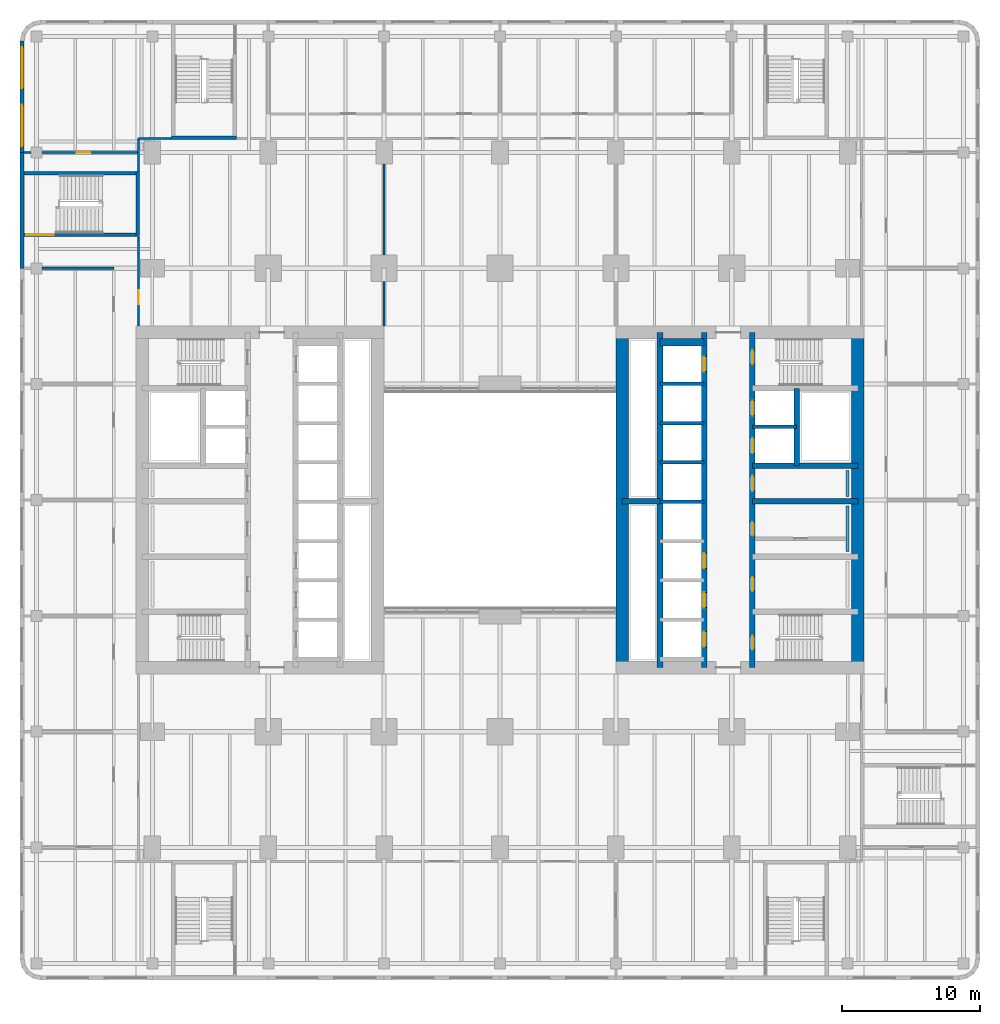
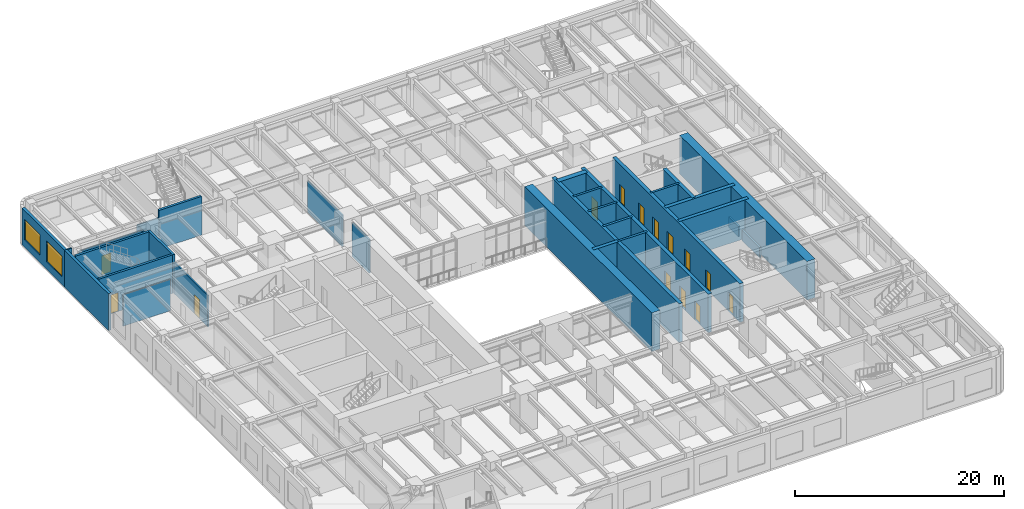
# One storey, part 12 of 26: 31 walls, 14 doors, 2 windows, 16 openings.
"""IFC4 building model written with IfcOpenShell, lengths in metres."""

from ifc_helpers import new_model, si_unit, direction, frame, frame_2d, origin, place, context, subcontext, project, spatial, rectangle, extrude, material, layer, layer_set, type_object, element, fill, save


model = new_model("IFC4")

# Units and contexts
model_context = context("Model", 3, precision=1e-05, world=origin(), true_north=direction((0.0, 1.0)))
body_context = subcontext(model_context, "Body", "Model", "MODEL_VIEW")
ifc_project = project(units=[si_unit("LENGTHUNIT", "METRE"), si_unit("AREAUNIT", "SQUARE_METRE"), si_unit("VOLUMEUNIT", "CUBIC_METRE"), si_unit("PLANEANGLEUNIT", "RADIAN"), si_unit("MASSUNIT", "GRAM", prefix="KILO")], contexts=[model_context])

# Site, building, storey
site_placement = place(None, origin())
site = spatial("IfcSite", under=ifc_project, at=site_placement, CompositionType="ELEMENT")
building_placement = place(site_placement, origin())
building = spatial("IfcBuilding", under=site, at=building_placement, Name="Claustro Exchange Tower", CompositionType="ELEMENT")
storey_placement = place(building_placement, frame((0.0, 0.0, 9.89990234375)))
storey = spatial("IfcBuildingStorey", under=building, at=storey_placement, Name="L02", CompositionType="ELEMENT", Elevation=9.89990234375)

# Walls
ifc_material_1 = material(Name="Gypsum board on steel studs", Category="steel")
ifc_layer_1 = layer(ifc_material_1, 0.14990234375)
ifc_layer_set_1 = layer_set([ifc_layer_1], Name="Gypsum board on steel studs")
wall_type_1 = type_object("IfcWallType", Name="P1 150 plasterboard partition", PredefinedType="PARTITIONING", material=ifc_layer_set_1)
wall_1_placement = place(storey_placement, frame((-1.0, 51.39990234375, 0.0), z_axis=(0.0, 0.0, 1.0), x_axis=(1.0, 0.0, 0.0)))
element("IfcWall", 1, at=wall_1_placement, inside=storey, type_object=wall_type_1, Name="Partition P1 L02", PredefinedType="PARTITIONING", context=body_context, shape_type="SweptSolid", body=[
    extrude(rectangle(XDim=2.3798828125, YDim=0.14990234375, at=frame_2d((1.18994140625, 0.0))), origin(), (0.0, 0.0, 1.0), 3.650146484375),
])
wall_2_placement = place(storey_placement, frame((-9.300048828125, 50.39990234375, 0.0), z_axis=(0.0, 0.0, 1.0), x_axis=(1.0, 0.0, 0.0)))
element("IfcWall", 2, at=wall_2_placement, inside=storey, type_object=wall_type_1, Name="Partition P1 L02", PredefinedType="PARTITIONING", context=body_context, shape_type="SweptSolid", body=[
    extrude(rectangle(XDim=0.5009765625, YDim=0.14990234375, at=frame_2d((0.25048828125, 0.0))), origin(), (0.0, 0.0, 1.0), 4.300048828125),
])

# Wall, opening, door
wall_3_placement = place(storey_placement, frame((-8.0009765625, 50.39990234375, 0.0), z_axis=(0.0, 0.0, 1.0), x_axis=(1.0, 0.0, 0.0)))
wall_3 = element("IfcWall", 3, at=wall_3_placement, inside=storey, type_object=wall_type_1, Name="Partition P1 L02", PredefinedType="PARTITIONING", context=body_context, shape_type="SweptSolid", body=[
    extrude(rectangle(XDim=6.927001953125, YDim=0.14990234375, at=frame_2d((3.46337890625, 0.0))), origin(), (0.0, 0.0, 1.0), 3.650146484375),
])
opening_1_placement = place(wall_3_placement, frame((2.5009765625, 0.0, 0.0)))
opening_1 = element("IfcOpeningElement", 4, at=opening_1_placement, cuts=wall_3, Name="Opening D1", PredefinedType="OPENING", context=body_context, shape_type="SweptSolid", body=[
    extrude(rectangle(XDim=1.0, YDim=2.199951171875, at=frame_2d((0.5, 1.10009765625))), frame((0.0, 0.0849609375, 0.0), z_axis=(0.0, -1.0, 0.0), x_axis=(1.0, 0.0, 0.0)), (0.0, 0.0, 1.0), 0.169921875),
])
ifc_material_2 = material(Name="Timber door, oak veneer", Category="wood")
door_type_1 = type_object("IfcDoorType", Name="D1 1000 x 2200 single door", OperationType="SINGLE_SWING_LEFT", PredefinedType="DOOR", material=ifc_material_2)
door_1_placement = place(opening_1_placement, frame((1.0, 0.0, 0.0), z_axis=(0.0, 0.0, 1.0), x_axis=(-1.0, 0.0, 0.0)))
door_1 = element("IfcDoor", 5, at=door_1_placement, inside=storey, type_object=door_type_1, Name="Door D1 L02", OperationType="SINGLE_SWING_LEFT", OverallHeight=2.199951171875, OverallWidth=1.0, PredefinedType="DOOR", context=body_context, shape_type="SweptSolid", body=[
    extrude(rectangle(XDim=1.0, YDim=2.199951171875, at=frame_2d((0.5, 1.10009765625))), frame((0.0, 0.02490234375, 0.0), z_axis=(0.0, -1.0, 0.0), x_axis=(1.0, 0.0, 0.0)), (0.0, 0.0, 1.0), 0.050048828125),
])
fill(opening_1, door_1)

wall_4_placement = place(storey_placement, frame((-1.0, 37.800048828125, 0.0), z_axis=(0.0, 0.0, 1.0), x_axis=(0.0, 1.0, 0.0)))
wall_4 = element("IfcWall", 6, at=wall_4_placement, inside=storey, type_object=wall_type_1, Name="Partition P1 L02", PredefinedType="PARTITIONING", context=body_context, shape_type="SweptSolid", body=[
    extrude(rectangle(XDim=6.47998046875, YDim=0.14990234375, at=frame_2d((3.239990234375, 0.0))), origin(), (0.0, 0.0, 1.0), 3.650146484375),
])
opening_2_placement = place(wall_4_placement, frame((1.60009765625, 0.0, 0.0)))
opening_2 = element("IfcOpeningElement", 7, at=opening_2_placement, cuts=wall_4, Name="Opening D1", PredefinedType="OPENING", context=body_context, shape_type="SweptSolid", body=[
    extrude(rectangle(XDim=1.0, YDim=2.199951171875, at=frame_2d((0.5, 1.10009765625))), frame((0.0, 0.0849609375, 0.0), z_axis=(0.0, -1.0, 0.0), x_axis=(1.0, 0.0, 0.0)), (0.0, 0.0, 1.0), 0.169921875),
])
door_2_placement = place(opening_2_placement, frame((1.0, 0.0, 0.0), z_axis=(0.0, 0.0, 1.0), x_axis=(-1.0, 0.0, 0.0)))
door_2 = element("IfcDoor", 8, at=door_2_placement, inside=storey, type_object=door_type_1, Name="Door D1 L02", OperationType="SINGLE_SWING_RIGHT", OverallHeight=2.199951171875, OverallWidth=1.0, PredefinedType="DOOR", context=body_context, shape_type="SweptSolid", body=[
    extrude(rectangle(XDim=1.0, YDim=2.199951171875, at=frame_2d((0.5, 1.10009765625))), frame((0.0, 0.02490234375, 0.0), z_axis=(0.0, -1.0, 0.0), x_axis=(1.0, 0.0, 0.0)), (0.0, 0.0, 1.0), 0.050048828125),
])
fill(opening_2, door_2)

# Walls
wall_5_placement = place(storey_placement, frame((-1.0, 49.02001953125, 0.0), z_axis=(0.0, 0.0, 1.0), x_axis=(0.0, 1.0, 0.0)))
element("IfcWall", 9, at=wall_5_placement, inside=storey, type_object=wall_type_1, Name="Partition P1 L02", PredefinedType="PARTITIONING", context=body_context, shape_type="SweptSolid", body=[
    extrude(rectangle(XDim=2.3798828125, YDim=0.14990234375, at=frame_2d((1.18994140625, 0.0))), origin(), (0.0, 0.0, 1.0), 3.650146484375),
])
wall_6_placement = place(storey_placement, frame((16.800048828125, 37.820068359375, 0.0), z_axis=(0.0, 0.0, 1.0), x_axis=(0.0, 1.0, 0.0)))
element("IfcWall", 10, at=wall_6_placement, inside=storey, type_object=wall_type_1, Name="Partition P1 L02", PredefinedType="PARTITIONING", context=body_context, shape_type="SweptSolid", body=[
    extrude(rectangle(XDim=3.23095703125, YDim=0.14990234375, at=frame_2d((1.615478515625, 0.0))), origin(), (0.0, 0.0, 1.0), 3.940185546875),
])
wall_7_placement = place(storey_placement, frame((16.800048828125, 42.948974609375, 0.0), z_axis=(0.0, 0.0, 1.0), x_axis=(0.0, 1.0, 0.0)))
element("IfcWall", 11, at=wall_7_placement, inside=storey, type_object=wall_type_1, Name="Partition P1 L02", PredefinedType="PARTITIONING", context=body_context, shape_type="SweptSolid", body=[
    extrude(rectangle(XDim=6.626953125, YDim=0.14990234375, at=frame_2d((3.3134765625, 0.0))), origin(), (0.0, 0.0, 1.0), 3.650146484375),
])
wall_8_placement = place(storey_placement, frame((-8.0009765625, 42.0, 0.0), z_axis=(0.0, 0.0, 1.0), x_axis=(1.0, 0.0, 0.0)))
element("IfcWall", 12, at=wall_8_placement, inside=storey, type_object=wall_type_1, Name="Partition P1 L02", PredefinedType="PARTITIONING", context=body_context, shape_type="SweptSolid", body=[
    extrude(rectangle(XDim=5.200927734375, YDim=0.14990234375, at=frame_2d((2.6005859375, 0.0))), origin(), (0.0, 0.0, 1.0), 3.650146484375),
])
ifc_material_3 = material(Name="Concrete HA-40 (C40/50), precast, white cement, acid-etched", Category="concrete")
ifc_layer_2 = layer(ifc_material_3, 0.300048828125)
ifc_layer_set_2 = layer_set([ifc_layer_2], Name="Concrete HA-40 (C40/50), precast, white cement, acid-etched")
wall_type_2 = type_object("IfcWallType", Name="PC1 300 precast concrete pier panel", PredefinedType="SOLIDWALL", material=ifc_layer_set_2)
wall_9_placement = place(storey_placement, frame((-9.449951171875, 42.0, 0.0), z_axis=(0.0, 0.0, 1.0), x_axis=(0.0, 1.0, 0.0)))
element("IfcWall", 13, at=wall_9_placement, inside=storey, type_object=wall_type_2, Name="Precast pier panel PC1 L02", PredefinedType="SOLIDWALL", context=body_context, shape_type="SweptSolid", body=[
    extrude(rectangle(XDim=8.39990234375, YDim=0.300048828125, at=frame_2d((4.199951171875, 0.0))), origin(), (0.0, 0.0, 1.0), 4.300048828125),
])

# Wall, openings, windows
wall_10_placement = place(storey_placement, frame((-9.449951171875, 50.39990234375, 0.0), z_axis=(0.0, 0.0, 1.0), x_axis=(0.0, 1.0, 0.0)))
wall_10 = element("IfcWall", 14, at=wall_10_placement, inside=storey, type_object=wall_type_2, Name="Precast pier panel PC1 L02", PredefinedType="SOLIDWALL", context=body_context, shape_type="SweptSolid", body=[
    extrude(rectangle(XDim=8.085205078125, YDim=0.300048828125, at=frame_2d((4.04248046875, 0.0))), origin(), (0.0, 0.0, 1.0), 4.300048828125),
])
opening_3_placement = place(wall_10_placement, frame((0.442626953125, 0.0, 0.89990234375)))
opening_3 = element("IfcOpeningElement", 15, at=opening_3_placement, cuts=wall_10, Name="Opening W3", PredefinedType="OPENING", context=body_context, shape_type="SweptSolid", body=[
    extrude(rectangle(XDim=3.0, YDim=2.39990234375, at=frame_2d((1.5, 1.199951171875))), frame((0.0, 0.159912109375, 0.0), z_axis=(0.0, -1.0, 0.0), x_axis=(1.0, 0.0, 0.0)), (0.0, 0.0, 1.0), 0.320068359375),
])
opening_4_placement = place(wall_10_placement, frame((4.642578125, 0.0, 0.89990234375)))
opening_4 = element("IfcOpeningElement", 16, at=opening_4_placement, cuts=wall_10, Name="Opening W3", PredefinedType="OPENING", context=body_context, shape_type="SweptSolid", body=[
    extrude(rectangle(XDim=3.0, YDim=2.39990234375, at=frame_2d((1.5, 1.199951171875))), frame((0.0, 0.159912109375, 0.0), z_axis=(0.0, -1.0, 0.0), x_axis=(1.0, 0.0, 0.0)), (0.0, 0.0, 1.0), 0.320068359375),
])
ifc_material_4 = material(Name="Aluminium frame, clear double glazing", Category="aluminium")
window_type = type_object("IfcWindowType", Name="W3 3000 x 2400 window", PartitioningType="SINGLE_PANEL", PredefinedType="WINDOW", material=ifc_material_4)
window_1_placement = place(opening_3_placement, origin())
window_1 = element("IfcWindow", 17, at=window_1_placement, inside=storey, type_object=window_type, Name="Window W3 L02", OverallHeight=2.39990234375, OverallWidth=3.0, PartitioningType="SINGLE_PANEL", PredefinedType="WINDOW", context=body_context, shape_type="SweptSolid", body=[
    extrude(rectangle(XDim=3.0, YDim=2.39990234375, at=frame_2d((1.5, 1.199951171875))), frame((0.0, 0.030029296875, 0.0), z_axis=(0.0, -1.0, 0.0), x_axis=(1.0, 0.0, 0.0)), (0.0, 0.0, 1.0), 0.06005859375),
])
fill(opening_3, window_1)
window_2_placement = place(opening_4_placement, origin())
window_2 = element("IfcWindow", 18, at=window_2_placement, inside=storey, type_object=window_type, Name="Window W3 L02", OverallHeight=2.39990234375, OverallWidth=3.0, PartitioningType="SINGLE_PANEL", PredefinedType="WINDOW", context=body_context, shape_type="SweptSolid", body=[
    extrude(rectangle(XDim=3.0, YDim=2.39990234375, at=frame_2d((1.5, 1.199951171875))), frame((0.0, 0.030029296875, 0.0), z_axis=(0.0, -1.0, 0.0), x_axis=(1.0, 0.0, 0.0)), (0.0, 0.0, 1.0), 0.06005859375),
])
fill(opening_4, window_2)

# Walls
ifc_material_5 = material(Name="Gypsum board on steel studs, tiled", Category="steel")
ifc_layer_3 = layer(ifc_material_5, 0.199951171875)
ifc_layer_set_3 = layer_set([ifc_layer_3], Name="Gypsum board on steel studs, tiled")
wall_type_3 = type_object("IfcWallType", Name="PW1 200 WC duct wall", PredefinedType="PLUMBINGWALL", material=ifc_layer_set_3)
wall_11_placement = place(storey_placement, frame((50.39990234375, 21.449951171875, 0.0), z_axis=(0.0, 0.0, 1.0), x_axis=(0.0, 1.0, 0.0)))
element("IfcWall", 19, at=wall_11_placement, inside=storey, type_object=wall_type_3, Name="WC duct wall PW1 L02", PredefinedType="PLUMBINGWALL", context=body_context, shape_type="SweptSolid", body=[
    extrude(rectangle(XDim=3.300048828125, YDim=0.199951171875, at=frame_2d((1.64990234375, 0.0))), origin(), (0.0, 0.0, 1.0), 1.2001953125),
])
wall_12_placement = place(storey_placement, frame((50.39990234375, 25.449951171875, 0.0), z_axis=(0.0, 0.0, 1.0), x_axis=(0.0, 1.0, 0.0)))
element("IfcWall", 20, at=wall_12_placement, inside=storey, type_object=wall_type_3, Name="WC duct wall PW1 L02", PredefinedType="PLUMBINGWALL", context=body_context, shape_type="SweptSolid", body=[
    extrude(rectangle(XDim=1.900146484375, YDim=0.199951171875, at=frame_2d((0.9501953125, 0.0))), origin(), (0.0, 0.0, 1.0), 1.2001953125),
])
ifc_material_6 = material(Name="Concrete HA-70 (C70/85)", Category="concrete")
ifc_layer_4 = layer(ifc_material_6, 0.89990234375)
ifc_layer_set_4 = layer_set([ifc_layer_4], Name="Concrete HA-70 (C70/85)")
wall_type_4 = type_object("IfcWallType", Name="SW1X 900 exposed core shear wall, board-marked face", PredefinedType="SHEAR", material=ifc_layer_set_4)
for number, where, z_axis, x_axis, name in (
    (21, (34.050048828125, 13.050048828125, 0.0), (0.0, 0.0, 1.0), (0.0, 1.0, 0.0), "Core wall SW1X E core W face L02"),
    (22, (51.14990234375, 13.050048828125, 0.0), (0.0, 0.0, 1.0), (0.0, 1.0, 0.0), "Core wall SW1X E core E face L02"),
):
    element("IfcWall", number, at=place(storey_placement, frame(where, z_axis=z_axis, x_axis=x_axis)), inside=storey, type_object=wall_type_4, Name=name, PredefinedType="SHEAR", context=body_context, shape_type="SweptSolid", body=[
        extrude(rectangle(XDim=24.300048828125, YDim=0.89990234375, at=frame_2d((12.14990234375, 0.0))), origin(), (0.0, 0.0, 1.0), 4.5),
    ])

# Wall, openings, doors
ifc_material_7 = material(Name="Concrete HA-50 (C50/60)", Category="concrete")
ifc_layer_5 = layer(ifc_material_7, 0.39990234375)
ifc_layer_set_5 = layer_set([ifc_layer_5], Name="Concrete HA-50 (C50/60)")
wall_type_5 = type_object("IfcWallType", Name="SW4 400 internal core wall", PredefinedType="SHEAR", material=ifc_layer_set_5)
wall_13_placement = place(storey_placement, frame((43.5, 13.050048828125, 0.0), z_axis=(0.0, 0.0, 1.0), x_axis=(0.0, 1.0, 0.0)))
wall_13 = element("IfcWall", 23, at=wall_13_placement, inside=storey, type_object=wall_type_5, Name="Internal core wall SW4 E core L02", PredefinedType="SHEAR", context=body_context, shape_type="SweptSolid", body=[
    extrude(rectangle(XDim=24.300048828125, YDim=0.39990234375, at=frame_2d((12.14990234375, 0.0))), origin(), (0.0, 0.0, 1.0), 4.5),
])
opening_5_placement = place(wall_13_placement, frame((1.300048828125, 0.0, 0.0)))
opening_5 = element("IfcOpeningElement", 24, at=opening_5_placement, cuts=wall_13, Name="Opening D4", PredefinedType="OPENING", context=body_context, shape_type="SweptSolid", body=[
    extrude(rectangle(XDim=1.0, YDim=2.199951171875, at=frame_2d((0.5, 1.10009765625))), frame((0.0, 0.2099609375, 0.0), z_axis=(0.0, -1.0, 0.0), x_axis=(1.0, 0.0, 0.0)), (0.0, 0.0, 1.0), 0.419921875),
])
opening_6_placement = place(wall_13_placement, frame((22.0, 0.0, 0.0)))
opening_6 = element("IfcOpeningElement", 25, at=opening_6_placement, cuts=wall_13, Name="Opening D4", PredefinedType="OPENING", context=body_context, shape_type="SweptSolid", body=[
    extrude(rectangle(XDim=1.0, YDim=2.199951171875, at=frame_2d((0.5, 1.10009765625))), frame((0.0, 0.2099609375, 0.0), z_axis=(0.0, -1.0, 0.0), x_axis=(1.0, 0.0, 0.0)), (0.0, 0.0, 1.0), 0.419921875),
])
opening_7_placement = place(wall_13_placement, frame((5.550048828125, 0.0, 0.0)))
opening_7 = element("IfcOpeningElement", 26, at=opening_7_placement, cuts=wall_13, Name="Opening D1", PredefinedType="OPENING", context=body_context, shape_type="SweptSolid", body=[
    extrude(rectangle(XDim=1.0, YDim=2.199951171875, at=frame_2d((0.5, 1.10009765625))), frame((0.0, 0.2099609375, 0.0), z_axis=(0.0, -1.0, 0.0), x_axis=(1.0, 0.0, 0.0)), (0.0, 0.0, 1.0), 0.419921875),
])
opening_8_placement = place(wall_13_placement, frame((9.550048828125, 0.0, 0.0)))
opening_8 = element("IfcOpeningElement", 27, at=opening_8_placement, cuts=wall_13, Name="Opening D1", PredefinedType="OPENING", context=body_context, shape_type="SweptSolid", body=[
    extrude(rectangle(XDim=1.0, YDim=2.199951171875, at=frame_2d((0.5, 1.10009765625))), frame((0.0, 0.2099609375, 0.0), z_axis=(0.0, -1.0, 0.0), x_axis=(1.0, 0.0, 0.0)), (0.0, 0.0, 1.0), 0.419921875),
])
opening_9_placement = place(wall_13_placement, frame((12.800048828125, 0.0, 0.0)))
opening_9 = element("IfcOpeningElement", 28, at=opening_9_placement, cuts=wall_13, Name="Opening D10", PredefinedType="OPENING", context=body_context, shape_type="SweptSolid", body=[
    extrude(rectangle(XDim=1.10009765625, YDim=2.199951171875, at=frame_2d((0.550048828125, 1.10009765625))), frame((0.0, 0.2099609375, 0.0), z_axis=(0.0, -1.0, 0.0), x_axis=(1.0, 0.0, 0.0)), (0.0, 0.0, 1.0), 0.419921875),
])
opening_10_placement = place(wall_13_placement, frame((15.53759765625, 0.0, 0.0)))
opening_10 = element("IfcOpeningElement", 29, at=opening_10_placement, cuts=wall_13, Name="Opening LD", PredefinedType="OPENING", context=body_context, shape_type="SweptSolid", body=[
    extrude(rectangle(XDim=1.10009765625, YDim=2.199951171875, at=frame_2d((0.550048828125, 1.10009765625))), frame((0.0, 0.2099609375, 0.0), z_axis=(0.0, -1.0, 0.0), x_axis=(1.0, 0.0, 0.0)), (0.0, 0.0, 1.0), 0.419921875),
])
opening_11_placement = place(wall_13_placement, frame((18.262451171875, 0.0, 0.0)))
opening_11 = element("IfcOpeningElement", 30, at=opening_11_placement, cuts=wall_13, Name="Opening LD", PredefinedType="OPENING", context=body_context, shape_type="SweptSolid", body=[
    extrude(rectangle(XDim=1.10009765625, YDim=2.199951171875, at=frame_2d((0.550048828125, 1.10009765625))), frame((0.0, 0.2099609375, 0.0), z_axis=(0.0, -1.0, 0.0), x_axis=(1.0, 0.0, 0.0)), (0.0, 0.0, 1.0), 0.419921875),
])
door_3_placement = place(opening_7_placement, frame((1.0, 0.0, 0.0), z_axis=(0.0, 0.0, 1.0), x_axis=(-1.0, 0.0, 0.0)))
door_3 = element("IfcDoor", 31, at=door_3_placement, inside=storey, type_object=door_type_1, Name="Door D1 L02", OperationType="SINGLE_SWING_LEFT", OverallHeight=2.199951171875, OverallWidth=1.0, PredefinedType="DOOR", context=body_context, shape_type="SweptSolid", body=[
    extrude(rectangle(XDim=1.0, YDim=2.199951171875, at=frame_2d((0.5, 1.10009765625))), frame((0.0, 0.02490234375, 0.0), z_axis=(0.0, -1.0, 0.0), x_axis=(1.0, 0.0, 0.0)), (0.0, 0.0, 1.0), 0.050048828125),
])
fill(opening_7, door_3)
door_4_placement = place(opening_8_placement, frame((1.0, 0.0, 0.0), z_axis=(0.0, 0.0, 1.0), x_axis=(-1.0, 0.0, 0.0)))
door_4 = element("IfcDoor", 32, at=door_4_placement, inside=storey, type_object=door_type_1, Name="Door D1 L02", OperationType="SINGLE_SWING_RIGHT", OverallHeight=2.199951171875, OverallWidth=1.0, PredefinedType="DOOR", context=body_context, shape_type="SweptSolid", body=[
    extrude(rectangle(XDim=1.0, YDim=2.199951171875, at=frame_2d((0.5, 1.10009765625))), frame((0.0, 0.02490234375, 0.0), z_axis=(0.0, -1.0, 0.0), x_axis=(1.0, 0.0, 0.0)), (0.0, 0.0, 1.0), 0.050048828125),
])
fill(opening_8, door_4)
ifc_material_8 = material(Name="Timber door, oak veneer", Category="wood")
door_type_2 = type_object("IfcDoorType", Name="D10 1100 x 2200 accessible WC door", OperationType="SINGLE_SWING_LEFT", PredefinedType="DOOR", material=ifc_material_8)
door_5_placement = place(opening_9_placement, origin())
door_5 = element("IfcDoor", 33, at=door_5_placement, inside=storey, type_object=door_type_2, Name="Accessible WC door D10 L02", OperationType="SINGLE_SWING_RIGHT", OverallHeight=2.199951171875, OverallWidth=1.10009765625, PredefinedType="DOOR", context=body_context, shape_type="SweptSolid", body=[
    extrude(rectangle(XDim=1.10009765625, YDim=2.199951171875, at=frame_2d((0.550048828125, 1.10009765625))), frame((0.0, 0.02490234375, 0.0), z_axis=(0.0, -1.0, 0.0), x_axis=(1.0, 0.0, 0.0)), (0.0, 0.0, 1.0), 0.050048828125),
])
fill(opening_9, door_5)
ifc_material_9 = material(Name="Steel fire door, painted", Category="steel")
door_type_3 = type_object("IfcDoorType", Name="D4 1000 x 2200 fire-rated stair door", OperationType="SINGLE_SWING_LEFT", PredefinedType="DOOR", material=ifc_material_9)
door_6_placement = place(opening_5_placement, frame((1.0, 0.0, 0.0), z_axis=(0.0, 0.0, 1.0), x_axis=(-1.0, 0.0, 0.0)))
door_6 = element("IfcDoor", 34, at=door_6_placement, inside=storey, type_object=door_type_3, Name="Stair door D4 L02", OperationType="SINGLE_SWING_RIGHT", OverallHeight=2.199951171875, OverallWidth=1.0, PredefinedType="DOOR", context=body_context, shape_type="SweptSolid", body=[
    extrude(rectangle(XDim=1.0, YDim=2.199951171875, at=frame_2d((0.5, 1.10009765625))), frame((0.0, 0.02490234375, 0.0), z_axis=(0.0, -1.0, 0.0), x_axis=(1.0, 0.0, 0.0)), (0.0, 0.0, 1.0), 0.050048828125),
])
fill(opening_5, door_6)
door_7_placement = place(opening_6_placement, frame((1.0, 0.0, 0.0), z_axis=(0.0, 0.0, 1.0), x_axis=(-1.0, 0.0, 0.0)))
door_7 = element("IfcDoor", 35, at=door_7_placement, inside=storey, type_object=door_type_3, Name="Stair door D4 L02", OperationType="SINGLE_SWING_LEFT", OverallHeight=2.199951171875, OverallWidth=1.0, PredefinedType="DOOR", context=body_context, shape_type="SweptSolid", body=[
    extrude(rectangle(XDim=1.0, YDim=2.199951171875, at=frame_2d((0.5, 1.10009765625))), frame((0.0, 0.02490234375, 0.0), z_axis=(0.0, -1.0, 0.0), x_axis=(1.0, 0.0, 0.0)), (0.0, 0.0, 1.0), 0.050048828125),
])
fill(opening_6, door_7)
ifc_material_10 = material(Name="Stainless steel sliding door", Category="steel")
door_type_4 = type_object("IfcDoorType", Name="LD 1100 x 2200 lift landing door", OperationType="DOUBLE_DOOR_SLIDING", PredefinedType="DOOR", material=ifc_material_10)
door_8_placement = place(opening_10_placement, origin())
door_8 = element("IfcDoor", 36, at=door_8_placement, inside=storey, type_object=door_type_4, Name="Lift landing door LEE1 LD L02", OperationType="DOUBLE_DOOR_SLIDING", OverallHeight=2.199951171875, OverallWidth=1.10009765625, PredefinedType="DOOR", context=body_context, shape_type="SweptSolid", body=[
    extrude(rectangle(XDim=1.10009765625, YDim=2.199951171875, at=frame_2d((0.550048828125, 1.10009765625))), frame((0.0, 0.02490234375, 0.0), z_axis=(0.0, -1.0, 0.0), x_axis=(1.0, 0.0, 0.0)), (0.0, 0.0, 1.0), 0.050048828125),
])
fill(opening_10, door_8)
door_9_placement = place(opening_11_placement, origin())
door_9 = element("IfcDoor", 37, at=door_9_placement, inside=storey, type_object=door_type_4, Name="Lift landing door LEE2 LD L02", OperationType="DOUBLE_DOOR_SLIDING", OverallHeight=2.199951171875, OverallWidth=1.10009765625, PredefinedType="DOOR", context=body_context, shape_type="SweptSolid", body=[
    extrude(rectangle(XDim=1.10009765625, YDim=2.199951171875, at=frame_2d((0.550048828125, 1.10009765625))), frame((0.0, 0.02490234375, 0.0), z_axis=(0.0, -1.0, 0.0), x_axis=(1.0, 0.0, 0.0)), (0.0, 0.0, 1.0), 0.050048828125),
])
fill(opening_11, door_9)

wall_14_placement = place(storey_placement, frame((40.0, 13.050048828125, 0.0), z_axis=(0.0, 0.0, 1.0), x_axis=(0.0, 1.0, 0.0)))
wall_14 = element("IfcWall", 38, at=wall_14_placement, inside=storey, type_object=wall_type_5, Name="Internal core wall SW4 E core L02", PredefinedType="SHEAR", context=body_context, shape_type="SweptSolid", body=[
    extrude(rectangle(XDim=24.300048828125, YDim=0.39990234375, at=frame_2d((12.14990234375, 0.0))), origin(), (0.0, 0.0, 1.0), 4.5),
])
opening_12_placement = place(wall_14_placement, frame((1.5, 0.0, 0.0)))
opening_12 = element("IfcOpeningElement", 39, at=opening_12_placement, cuts=wall_14, Name="Opening LD", PredefinedType="OPENING", context=body_context, shape_type="SweptSolid", body=[
    extrude(rectangle(XDim=1.10009765625, YDim=2.199951171875, at=frame_2d((0.550048828125, 1.10009765625))), frame((0.0, 0.2099609375, 0.0), z_axis=(0.0, -1.0, 0.0), x_axis=(1.0, 0.0, 0.0)), (0.0, 0.0, 1.0), 0.419921875),
])
opening_13_placement = place(wall_14_placement, frame((4.35009765625, 0.0, 0.0)))
opening_13 = element("IfcOpeningElement", 40, at=opening_13_placement, cuts=wall_14, Name="Opening LD", PredefinedType="OPENING", context=body_context, shape_type="SweptSolid", body=[
    extrude(rectangle(XDim=1.10009765625, YDim=2.199951171875, at=frame_2d((0.550048828125, 1.10009765625))), frame((0.0, 0.2099609375, 0.0), z_axis=(0.0, -1.0, 0.0), x_axis=(1.0, 0.0, 0.0)), (0.0, 0.0, 1.0), 0.419921875),
])
opening_14_placement = place(wall_14_placement, frame((7.199951171875, 0.0, 0.0)))
opening_14 = element("IfcOpeningElement", 41, at=opening_14_placement, cuts=wall_14, Name="Opening LD", PredefinedType="OPENING", context=body_context, shape_type="SweptSolid", body=[
    extrude(rectangle(XDim=1.10009765625, YDim=2.199951171875, at=frame_2d((0.550048828125, 1.10009765625))), frame((0.0, 0.2099609375, 0.0), z_axis=(0.0, -1.0, 0.0), x_axis=(1.0, 0.0, 0.0)), (0.0, 0.0, 1.0), 0.419921875),
])
opening_15_placement = place(wall_14_placement, frame((21.449951171875, 0.0, 0.0)))
opening_15 = element("IfcOpeningElement", 42, at=opening_15_placement, cuts=wall_14, Name="Opening LD", PredefinedType="OPENING", context=body_context, shape_type="SweptSolid", body=[
    extrude(rectangle(XDim=1.10009765625, YDim=2.199951171875, at=frame_2d((0.550048828125, 1.10009765625))), frame((0.0, 0.2099609375, 0.0), z_axis=(0.0, -1.0, 0.0), x_axis=(1.0, 0.0, 0.0)), (0.0, 0.0, 1.0), 0.419921875),
])
door_10_placement = place(opening_12_placement, origin())
door_10 = element("IfcDoor", 43, at=door_10_placement, inside=storey, type_object=door_type_4, Name="Lift landing door LLE1 LD L02", OperationType="DOUBLE_DOOR_SLIDING", OverallHeight=2.199951171875, OverallWidth=1.10009765625, PredefinedType="DOOR", context=body_context, shape_type="SweptSolid", body=[
    extrude(rectangle(XDim=1.10009765625, YDim=2.199951171875, at=frame_2d((0.550048828125, 1.10009765625))), frame((0.0, 0.02490234375, 0.0), z_axis=(0.0, -1.0, 0.0), x_axis=(1.0, 0.0, 0.0)), (0.0, 0.0, 1.0), 0.050048828125),
])
fill(opening_12, door_10)
door_11_placement = place(opening_13_placement, origin())
door_11 = element("IfcDoor", 44, at=door_11_placement, inside=storey, type_object=door_type_4, Name="Lift landing door LLE2 LD L02", OperationType="DOUBLE_DOOR_SLIDING", OverallHeight=2.199951171875, OverallWidth=1.10009765625, PredefinedType="DOOR", context=body_context, shape_type="SweptSolid", body=[
    extrude(rectangle(XDim=1.10009765625, YDim=2.199951171875, at=frame_2d((0.550048828125, 1.10009765625))), frame((0.0, 0.02490234375, 0.0), z_axis=(0.0, -1.0, 0.0), x_axis=(1.0, 0.0, 0.0)), (0.0, 0.0, 1.0), 0.050048828125),
])
fill(opening_13, door_11)
door_12_placement = place(opening_14_placement, origin())
door_12 = element("IfcDoor", 45, at=door_12_placement, inside=storey, type_object=door_type_4, Name="Lift landing door LLE3 LD L02", OperationType="DOUBLE_DOOR_SLIDING", OverallHeight=2.199951171875, OverallWidth=1.10009765625, PredefinedType="DOOR", context=body_context, shape_type="SweptSolid", body=[
    extrude(rectangle(XDim=1.10009765625, YDim=2.199951171875, at=frame_2d((0.550048828125, 1.10009765625))), frame((0.0, 0.02490234375, 0.0), z_axis=(0.0, -1.0, 0.0), x_axis=(1.0, 0.0, 0.0)), (0.0, 0.0, 1.0), 0.050048828125),
])
fill(opening_14, door_12)
door_13_placement = place(opening_15_placement, origin())
door_13 = element("IfcDoor", 46, at=door_13_placement, inside=storey, type_object=door_type_4, Name="Lift landing door LSE1 LD L02", OperationType="DOUBLE_DOOR_SLIDING", OverallHeight=2.199951171875, OverallWidth=1.10009765625, PredefinedType="DOOR", context=body_context, shape_type="SweptSolid", body=[
    extrude(rectangle(XDim=1.10009765625, YDim=2.199951171875, at=frame_2d((0.550048828125, 1.10009765625))), frame((0.0, 0.02490234375, 0.0), z_axis=(0.0, -1.0, 0.0), x_axis=(1.0, 0.0, 0.0)), (0.0, 0.0, 1.0), 0.050048828125),
])
fill(opening_15, door_13)

# Walls
wall_15_placement = place(storey_placement, frame((36.800048828125, 13.050048828125, 0.0), z_axis=(0.0, 0.0, 1.0), x_axis=(0.0, 1.0, 0.0)))
element("IfcWall", 47, at=wall_15_placement, inside=storey, type_object=wall_type_5, Name="Internal core wall SW4 E core L02", PredefinedType="SHEAR", context=body_context, shape_type="SweptSolid", body=[
    extrude(rectangle(XDim=24.300048828125, YDim=0.39990234375, at=frame_2d((12.14990234375, 0.0))), origin(), (0.0, 0.0, 1.0), 4.5),
])
for number, where, z_axis, x_axis, name in (
    (48, (51.14990234375, 25.10009765625, 0.0), (0.0, 0.0, 1.0), (-1.0, 0.0, 0.0), "Internal core wall SW4 E core L02"),
    (49, (51.14990234375, 27.699951171875, 0.0), (0.0, 0.0, 1.0), (-1.0, 0.0, 0.0), "Internal core wall SW4 E core L02"),
):
    element("IfcWall", number, at=place(storey_placement, frame(where, z_axis=z_axis, x_axis=x_axis)), inside=storey, type_object=wall_type_5, Name=name, PredefinedType="SHEAR", context=body_context, shape_type="SweptSolid", body=[
        extrude(rectangle(XDim=7.64990234375, YDim=0.39990234375, at=frame_2d((3.824951171875, 0.0))), origin(), (0.0, 0.0, 1.0), 4.5),
    ])
wall_16_placement = place(storey_placement, frame((46.699951171875, 27.699951171875, 0.0), z_axis=(0.0, 0.0, 1.0), x_axis=(0.0, 1.0, 0.0)))
element("IfcWall", 50, at=wall_16_placement, inside=storey, type_object=wall_type_5, Name="Internal core wall SW4 E core L02", PredefinedType="SHEAR", context=body_context, shape_type="SweptSolid", body=[
    extrude(rectangle(XDim=5.60009765625, YDim=0.39990234375, at=frame_2d((2.800048828125, 0.0))), origin(), (0.0, 0.0, 1.0), 4.5),
])
wall_17_placement = place(storey_placement, frame((36.800048828125, 25.10009765625, 0.0), z_axis=(0.0, 0.0, 1.0), x_axis=(-1.0, 0.0, 0.0)))
element("IfcWall", 51, at=wall_17_placement, inside=storey, type_object=wall_type_5, Name="Internal core wall SW4 E core L02", PredefinedType="SHEAR", context=body_context, shape_type="SweptSolid", body=[
    extrude(rectangle(XDim=2.75, YDim=0.39990234375, at=frame_2d((1.375, 0.0))), origin(), (0.0, 0.0, 1.0), 4.5),
])
ifc_material_11 = material(Name="Concrete HA-50 (C50/60)", Category="concrete")
ifc_layer_6 = layer(ifc_material_11, 0.25)
ifc_layer_set_6 = layer_set([ifc_layer_6], Name="Concrete HA-50 (C50/60)")
wall_type_6 = type_object("IfcWallType", Name="SW5 250 lift shaft divider wall", PredefinedType="SHEAR", material=ifc_layer_set_6)
for number, where, z_axis, x_axis, name in (
    (52, (46.699951171875, 30.5, 0.0), (0.0, 0.0, 1.0), (-1.0, 0.0, 0.0), "Lift shaft wall E core L02"),
    (53, (40.0, 25.074951171875, 0.0), (0.0, 0.0, 1.0), (-1.0, 0.0, 0.0), "Lift shaft wall E core L02"),
    (54, (40.0, 27.925048828125, 0.0), (0.0, 0.0, 1.0), (-1.0, 0.0, 0.0), "Lift shaft wall E core L02"),
    (55, (40.0, 30.77490234375, 0.0), (0.0, 0.0, 1.0), (-1.0, 0.0, 0.0), "Lift shaft wall E core L02"),
    (56, (40.0, 33.625, 0.0), (0.0, 0.0, 1.0), (-1.0, 0.0, 0.0), "Lift shaft wall E core L02"),
):
    element("IfcWall", number, at=place(storey_placement, frame(where, z_axis=z_axis, x_axis=x_axis)), inside=storey, type_object=wall_type_6, Name=name, PredefinedType="SHEAR", context=body_context, shape_type="SweptSolid", body=[
        extrude(rectangle(XDim=3.199951171875, YDim=0.25, at=frame_2d((1.60009765625, 0.0))), origin(), (0.0, 0.0, 1.0), 4.5),
    ])
ifc_material_12 = material(Name="Concrete HA-50 (C50/60)", Category="concrete")
ifc_layer_7 = layer(ifc_material_12, 0.550048828125)
ifc_layer_set_7 = layer_set([ifc_layer_7], Name="Concrete HA-50 (C50/60)")
wall_type_7 = type_object("IfcWallType", Name="SW6 550 lift shaft end wall", PredefinedType="SHEAR", material=ifc_layer_set_7)
wall_18_placement = place(storey_placement, frame((40.0, 36.625, 0.0), z_axis=(0.0, 0.0, 1.0), x_axis=(-1.0, 0.0, 0.0)))
element("IfcWall", 57, at=wall_18_placement, inside=storey, type_object=wall_type_7, Name="Lift shaft wall E core L02", PredefinedType="SHEAR", context=body_context, shape_type="SweptSolid", body=[
    extrude(rectangle(XDim=3.199951171875, YDim=0.550048828125, at=frame_2d((1.60009765625, 0.0))), origin(), (0.0, 0.0, 1.0), 4.5),
])
ifc_material_13 = material(Name="Concrete HA-40 (C40/50)", Category="concrete")
ifc_layer_8 = layer(ifc_material_13, 0.25)
ifc_layer_set_8 = layer_set([ifc_layer_8], Name="Concrete HA-40 (C40/50)")
wall_type_8 = type_object("IfcWallType", Name="SW7 250 reinforced concrete stair wall", PredefinedType="SOLIDWALL", material=ifc_layer_set_8)
wall_19_placement = place(storey_placement, frame((1.39990234375, 51.47509765625, 0.0), z_axis=(0.0, 0.0, 1.0), x_axis=(1.0, 0.0, 0.0)))
element("IfcWall", 58, at=wall_19_placement, inside=storey, type_object=wall_type_8, Name="Stair enclosure wall STP3 SW7 L02", PredefinedType="SOLIDWALL", context=body_context, shape_type="SweptSolid", body=[
    extrude(rectangle(XDim=4.7001953125, YDim=0.25, at=frame_2d((2.35009765625, 0.0))), origin(), (0.0, 0.0, 1.0), 4.5),
])

# Wall, opening, door
wall_20_placement = place(storey_placement, frame((-9.302001953125, 44.425048828125, 0.0), z_axis=(0.0, 0.0, 1.0), x_axis=(1.0, 0.0, 0.0)))
wall_20 = element("IfcWall", 59, at=wall_20_placement, inside=storey, type_object=wall_type_8, Name="Stair enclosure wall STP5 SW7 L02", PredefinedType="SOLIDWALL", context=body_context, shape_type="SweptSolid", body=[
    extrude(rectangle(XDim=8.10205078125, YDim=0.25, at=frame_2d((4.051025390625, 0.0))), origin(), (0.0, 0.0, 1.0), 4.5),
])
opening_16_placement = place(wall_20_placement, frame((0.14990234375, 0.0, 0.0)))
opening_16 = element("IfcOpeningElement", 60, at=opening_16_placement, cuts=wall_20, Name="Opening D11", PredefinedType="OPENING", context=body_context, shape_type="SweptSolid", body=[
    extrude(rectangle(XDim=2.0, YDim=2.199951171875, at=frame_2d((1.0, 1.10009765625))), frame((0.0, 0.135009765625, 0.0), z_axis=(0.0, -1.0, 0.0), x_axis=(1.0, 0.0, 0.0)), (0.0, 0.0, 1.0), 0.27001953125),
])
ifc_material_14 = material(Name="Steel fire door, painted", Category="steel")
door_type_5 = type_object("IfcDoorType", Name="D11 2000 x 2200 fire-rated stair double door", OperationType="DOUBLE_DOOR_SINGLE_SWING", PredefinedType="DOOR", material=ifc_material_14)
door_14_placement = place(opening_16_placement, origin())
door_14 = element("IfcDoor", 61, at=door_14_placement, inside=storey, type_object=door_type_5, Name="Stair door STP5 D11 L02", OperationType="DOUBLE_DOOR_SINGLE_SWING", OverallHeight=2.199951171875, OverallWidth=2.0, PredefinedType="DOOR", context=body_context, shape_type="SweptSolid", body=[
    extrude(rectangle(XDim=2.0, YDim=2.199951171875, at=frame_2d((1.0, 1.10009765625))), frame((0.0, 0.02490234375, 0.0), z_axis=(0.0, -1.0, 0.0), x_axis=(1.0, 0.0, 0.0)), (0.0, 0.0, 1.0), 0.050048828125),
])
fill(opening_16, door_14)

# Walls
wall_21_placement = place(storey_placement, frame((-9.302001953125, 48.875, 0.0), z_axis=(0.0, 0.0, 1.0), x_axis=(1.0, 0.0, 0.0)))
element("IfcWall", 62, at=wall_21_placement, inside=storey, type_object=wall_type_8, Name="Stair enclosure wall STP5 SW7 L02", PredefinedType="SOLIDWALL", context=body_context, shape_type="SweptSolid", body=[
    extrude(rectangle(XDim=8.10205078125, YDim=0.25, at=frame_2d((4.051025390625, 0.0))), origin(), (0.0, 0.0, 1.0), 4.5),
])
wall_22_placement = place(storey_placement, frame((-1.074951171875, 44.300048828125, 0.0), z_axis=(0.0, 0.0, 1.0), x_axis=(0.0, 1.0, 0.0)))
element("IfcWall", 63, at=wall_22_placement, inside=storey, type_object=wall_type_8, Name="Stair enclosure wall STP5 SW7 L02", PredefinedType="SOLIDWALL", context=body_context, shape_type="SweptSolid", body=[
    extrude(rectangle(XDim=4.699951171875, YDim=0.25, at=frame_2d((2.35009765625, 0.0))), origin(), (0.0, 0.0, 1.0), 4.5),
])

save(model, "model.ifc")
